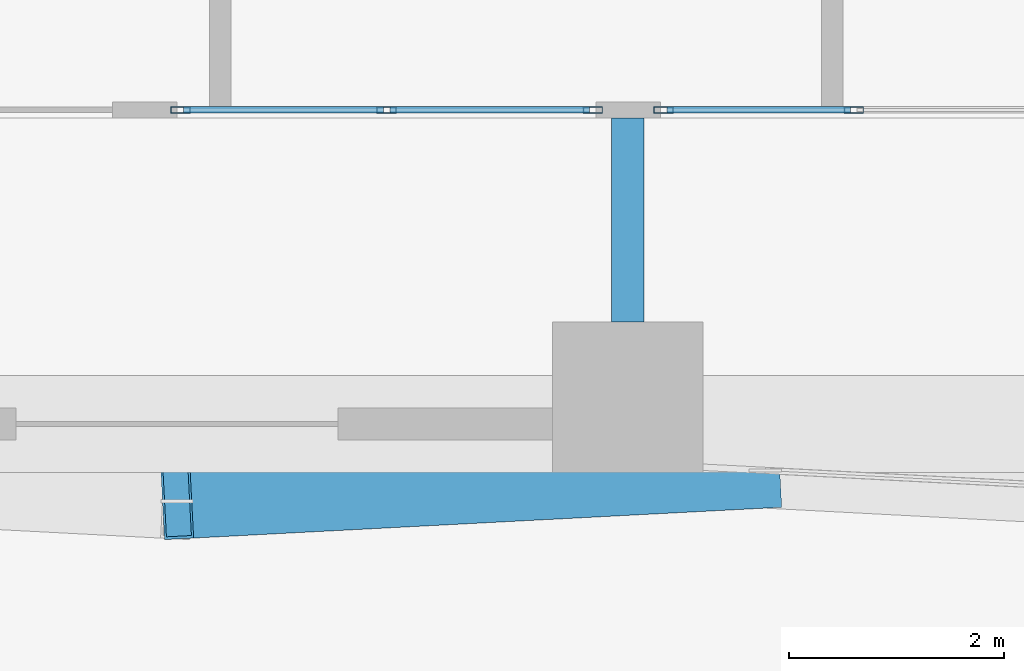
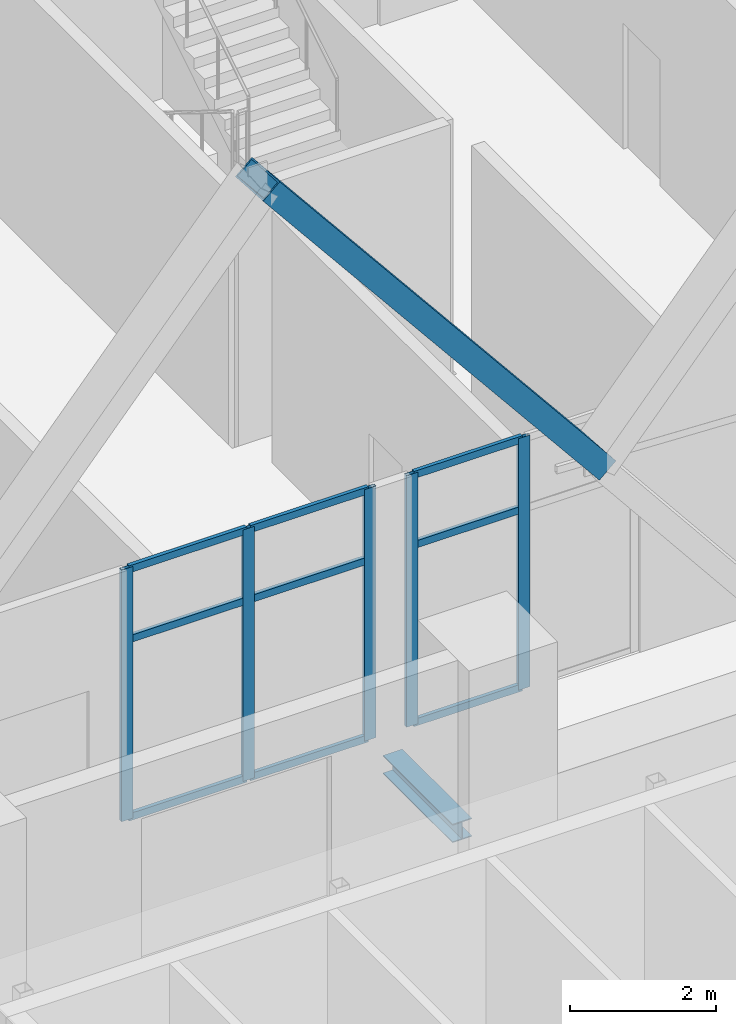
# One storey, part 11 of 71: 15 members, 1 beam, 2 elements without a shape of their own.
"""IFC4 building model written with IfcOpenShell, lengths in metres."""

import ifcopenshell
import ifcopenshell.guid

model = None  # the IFC model being written
_history = None  # IfcOwnerHistory: only IFC2X3 demands one
_inside = {}  # id of a spatial element -> (the spatial element, [elements in it])
_under = {}  # id of a project, library or spatial element -> (it, [spatial elements below it])
_declared = {}  # id of a project -> (the project, [libraries it declares])
_typed = {}  # id of a type object -> (the type object, [elements of that type])
_made_of = {}  # id of a material, layer set ... -> (it, [elements and type objects made of it])


def new_model(schema):
    """Start an empty IFC model of exactly this schema.

    Asked for "IFC4X3", IfcOpenShell would pick the latest addendum, in which some entities
    have other attributes; the version numbers below select the first issue.
    IFC2X3 requires an IfcOwnerHistory on every rooted entity: one is made here for all.
    """
    global model, _history
    if schema == "IFC4X3":
        model = ifcopenshell.file(schema_version=(4, 3, 0, 0))
    else:
        model = ifcopenshell.file(schema=schema)
    _inside.clear()
    _under.clear()
    _declared.clear()
    _typed.clear()
    _made_of.clear()
    _history = None
    if model.schema == "IFC2X3":
        org = make("IfcOrganization", Name="unknown")
        user = make(
            "IfcPersonAndOrganization",
            ThePerson=make("IfcPerson", FamilyName="unknown"),
            TheOrganization=org,
        )
        app = make(
            "IfcApplication",
            ApplicationDeveloper=org,
            Version="unknown",
            ApplicationFullName="unknown",
            ApplicationIdentifier="unknown",
        )
        _history = make(
            "IfcOwnerHistory",
            OwningUser=user,
            OwningApplication=app,
            ChangeAction="ADDED",
            CreationDate=0,
        )
    return model


def make(cls, **values):
    """One entity of the class cls with the attributes given. An attribute that is None is left unset."""
    return model.create_entity(
        cls, **{name: value for name, value in values.items() if value is not None}
    )


def rooted(cls, **values):
    """An entity with a GlobalId (a new one), such as an element, a storey or a relation."""
    return make(cls, GlobalId=ifcopenshell.guid.new(), OwnerHistory=_history, **values)


def si_unit(unit_type, name, prefix=None):
    """IfcSIUnit, for example si_unit("LENGTHUNIT", "METRE", prefix="MILLI")."""
    return make("IfcSIUnit", UnitType=unit_type, Prefix=prefix, Name=name)


def assignment(units):
    """IfcUnitAssignment: the units of a project."""
    return None if units is None else make("IfcUnitAssignment", Units=units)


def point(xyz):
    """IfcCartesianPoint."""
    return None if xyz is None else make("IfcCartesianPoint", Coordinates=xyz)


def direction(xyz):
    """IfcDirection."""
    return None if xyz is None else make("IfcDirection", DirectionRatios=xyz)


def frame(location, z_axis=None, x_axis=None):
    """IfcAxis2Placement3D, a coordinate frame: its origin and axes. An axis left out is left unset."""
    return make(
        "IfcAxis2Placement3D",
        Location=point(location),
        Axis=direction(z_axis),
        RefDirection=direction(x_axis),
    )


def frame_2d(location, x_axis=None):
    """IfcAxis2Placement2D, a coordinate frame in the plane: its origin and x axis."""
    return make(
        "IfcAxis2Placement2D", Location=point(location), RefDirection=direction(x_axis)
    )


def origin():
    """The frame at (0, 0, 0) with its axes left unset."""
    return frame((0.0, 0.0, 0.0))


def origin_2d():
    """The frame at (0, 0) in the plane with its x axis left unset."""
    return frame_2d((0.0, 0.0))


def place(relative_to, where):
    """IfcLocalPlacement: puts the frame where relative to a parent placement (None: the world)."""
    return make(
        "IfcLocalPlacement", PlacementRelTo=relative_to, RelativePlacement=where
    )


def context(
    kind, dimensions, precision=None, world=None, true_north=None, identifier=None
):
    """IfcGeometricRepresentationContext, for example the 3D "Model" context."""
    return make(
        "IfcGeometricRepresentationContext",
        ContextIdentifier=identifier,
        ContextType=kind,
        CoordinateSpaceDimension=dimensions,
        Precision=precision,
        WorldCoordinateSystem=world,
        TrueNorth=true_north,
    )


def subcontext(parent, identifier, kind, view, scale=None):
    """IfcGeometricRepresentationSubContext, for example "Body" below "Model"."""
    return make(
        "IfcGeometricRepresentationSubContext",
        ContextIdentifier=identifier,
        ContextType=kind,
        ParentContext=parent,
        TargetScale=scale,
        TargetView=view,
    )


def project(units=None, contexts=None):
    """IfcProject with its units and contexts."""
    return rooted(
        "IfcProject",
        Name="project",
        RepresentationContexts=contexts,
        UnitsInContext=assignment(units),
    )


def spatial(cls, under=None, at=None, **own):
    """A site, building, storey or space (cls), placed at a placement, below another one or the project."""
    s = rooted(cls, ObjectPlacement=at, **own)
    if under is not None:
        _under.setdefault(under.id(), (under, []))[1].append(s)
    return s


def profile(cls, at=None, kind="AREA", **sizes):
    """A parametric profile (cls). Its sizes go by their IFC names, for example OverallWidth=200.0."""
    return make(cls, ProfileType=kind, Position=at, **sizes)


def hollow_rectangle(**sizes):
    """IfcRectangleHollowProfileDef."""
    return profile("IfcRectangleHollowProfileDef", **sizes)


def i_section(**sizes):
    """IfcIShapeProfileDef."""
    return profile("IfcIShapeProfileDef", **sizes)


def extrude(swept, where, along, depth):
    """IfcExtrudedAreaSolid: the profile swept, set in the frame where, extruded along a direction by depth."""
    return make(
        "IfcExtrudedAreaSolid",
        SweptArea=swept,
        Position=where,
        ExtrudedDirection=direction(along),
        Depth=depth,
    )


def shape(context_of_items, identifier, shape_type, items):
    """IfcShapeRepresentation: the items that make up one representation, for example the "Body"."""
    return make(
        "IfcShapeRepresentation",
        ContextOfItems=context_of_items,
        RepresentationIdentifier=identifier,
        RepresentationType=shape_type,
        Items=items,
    )


def material(Name=None, Category=None):
    """IfcMaterial."""
    return make("IfcMaterial", Name=Name, Category=Category)


def material_profile(
    of_material, cross_section, Name=None, Category=None, Priority=None
):
    """IfcMaterialProfile: a cross section and its material."""
    return make(
        "IfcMaterialProfile",
        Name=Name,
        Material=of_material,
        Profile=cross_section,
        Priority=Priority,
        Category=Category,
    )


def profile_set(profiles, Name=None, composite=None):
    """IfcMaterialProfileSet."""
    return make(
        "IfcMaterialProfileSet",
        Name=Name,
        MaterialProfiles=profiles,
        CompositeProfile=composite,
    )


def made_of(thing, what):
    """Note that an element or type object is made of a material, layer set ...; save() writes the relation."""
    if what is not None:
        _made_of.setdefault(what.id(), (what, []))[1].append(thing)
    return thing


def type_object(cls, material=None, **own):
    """A type object (cls), such as IfcWallType, which elements share."""
    return made_of(rooted(cls, **own), material)


def element(
    cls,
    number,
    at=None,
    inside=None,
    cuts=None,
    type_object=None,
    material=None,
    context=None,
    identifier="Body",
    shape_type=None,
    held_by="IfcProductDefinitionShape",
    body=None,
    shapes=None,
    **own,
):
    """One element of the class cls, such as IfcWall. Its Tag is "e" and its number.

    at: its placement. inside: the storey or other place that contains it. cuts: it is an
    opening in that element (IfcRelVoidsElement). A single representation is given by context,
    identifier, shape_type and body (its items); several are given by shapes. held_by: the class
    of the entity that holds the representations. save() writes the other relations.
    """
    e = rooted(cls, Tag="e%d" % number, ObjectPlacement=at, **own)
    if body is not None:
        shapes = [shape(context, identifier, shape_type, body)]
    if shapes is not None:
        e.Representation = make(held_by, Representations=shapes)
    if inside is not None:
        _inside.setdefault(inside.id(), (inside, []))[1].append(e)
    if cuts is not None:
        rooted(
            "IfcRelVoidsElement", RelatingBuildingElement=cuts, RelatedOpeningElement=e
        )
    if type_object is not None:
        _typed.setdefault(type_object.id(), (type_object, []))[1].append(e)
    return made_of(e, material)


def aggregate(whole, parts):
    """IfcRelAggregates: a whole, such as a stair, and the parts it consists of."""
    return rooted("IfcRelAggregates", RelatingObject=whole, RelatedObjects=parts)


def save(model, path):
    """Write the relations noted so far, then the file.

    IfcRelAggregates (storeys below a building ...), IfcRelContainedInSpatialStructure (elements
    in a storey), IfcRelDefinesByType, IfcRelAssociatesMaterial and IfcRelDeclares: one each for
    every whole, place, type object, material and project.
    """
    for whole, parts in _under.values():
        aggregate(whole, parts)
    for where, things in _inside.values():
        rooted(
            "IfcRelContainedInSpatialStructure",
            RelatedElements=things,
            RelatingStructure=where,
        )
    for kind, things in _typed.values():
        rooted("IfcRelDefinesByType", RelatedObjects=things, RelatingType=kind)
    for what, things in _made_of.values():
        rooted("IfcRelAssociatesMaterial", RelatedObjects=things, RelatingMaterial=what)
    for by, libraries in _declared.values():
        rooted("IfcRelDeclares", RelatingContext=by, RelatedDefinitions=libraries)
    model.write(path)


model = new_model("IFC4")

# Units and contexts
model_context = context("Model", 3, precision=1e-05, world=origin(), true_north=direction((0.0, 1.0)))
body_context = subcontext(model_context, "Body", "Model", "MODEL_VIEW")
ifc_project = project(units=[si_unit("LENGTHUNIT", "METRE"), si_unit("AREAUNIT", "SQUARE_METRE"), si_unit("VOLUMEUNIT", "CUBIC_METRE"), si_unit("PLANEANGLEUNIT", "RADIAN"), si_unit("MASSUNIT", "GRAM", prefix="KILO")], contexts=[model_context])

# Site, building, storey
site_placement = place(None, origin())
site = spatial("IfcSite", under=ifc_project, at=site_placement, CompositionType="ELEMENT")
building_placement = place(site_placement, origin())
building = spatial("IfcBuilding", under=site, at=building_placement, Name="Ostrander Bayou Hotel Tower", CompositionType="ELEMENT")
storey_placement = place(building_placement, frame((0.0, 0.0, 10.0)))
storey = spatial("IfcBuildingStorey", under=building, at=storey_placement, Name="L02", CompositionType="ELEMENT", Elevation=10.0)

# Curtain wall, members
ifc_material_1 = material(Name="Aluminium and clear glass", Category="aluminium")
curtain_wall_type = type_object("IfcCurtainWallType", Name="CW-SKY amenity glass wall", PredefinedType="NOTDEFINED", material=ifc_material_1)
curtain_wall_1_placement = place(storey_placement, origin())
curtain_wall_1 = element("IfcCurtainWall", 1, at=curtain_wall_1_placement, inside=storey, type_object=curtain_wall_type, Name="CW-SKY L02 S 3", PredefinedType="NOTDEFINED")
ifc_material_2 = material(Name="Aluminium", Category="aluminium")
ifc_material_profile_1 = material_profile(ifc_material_2, hollow_rectangle(XDim=0.06005859375, YDim=0.179931640625, WallThickness=0.00390625, at=origin_2d()))
ifc_profile_set_1 = profile_set([ifc_material_profile_1], Name="Aluminium")
member_type_1 = type_object("IfcMemberType", Name="CW-SK mullion 60 x 180 mm", PredefinedType="MULLION", material=ifc_profile_set_1)
member_1_placement = place(storey_placement, frame((0.030029296875, -18.425048828125, 0.0), z_axis=(0.0, 0.0, 1.0), x_axis=(0.0, 1.0, 0.0)))
member_1 = element("IfcMember", 2, at=member_1_placement, type_object=member_type_1, Name="CW-SKY mullion 1", PredefinedType="MULLION", context=body_context, shape_type="SweptSolid", body=[
    extrude(hollow_rectangle(XDim=0.06005859375, YDim=0.179931640625, WallThickness=0.00390625, at=origin_2d()), origin(), (0.0, 0.0, 1.0), 4.199951171875),
])
member_2_placement = place(storey_placement, frame((1.949951171875, -18.425048828125, 0.0), z_axis=(0.0, 0.0, 1.0), x_axis=(0.0, 1.0, 0.0)))
member_2 = element("IfcMember", 3, at=member_2_placement, type_object=member_type_1, Name="CW-SKY mullion 2", PredefinedType="MULLION", context=body_context, shape_type="SweptSolid", body=[
    extrude(hollow_rectangle(XDim=0.06005859375, YDim=0.179931640625, WallThickness=0.00390625, at=origin_2d()), origin(), (0.0, 0.0, 1.0), 4.199951171875),
])
member_3_placement = place(storey_placement, frame((3.8701171875, -18.425048828125, 0.0), z_axis=(0.0, 0.0, 1.0), x_axis=(0.0, 1.0, 0.0)))
member_3 = element("IfcMember", 4, at=member_3_placement, type_object=member_type_1, Name="CW-SKY mullion 3", PredefinedType="MULLION", context=body_context, shape_type="SweptSolid", body=[
    extrude(hollow_rectangle(XDim=0.06005859375, YDim=0.179931640625, WallThickness=0.00390625, at=origin_2d()), origin(), (0.0, 0.0, 1.0), 4.199951171875),
])

curtain_wall_2_placement = place(storey_placement, origin())
curtain_wall_2 = element("IfcCurtainWall", 5, at=curtain_wall_2_placement, inside=storey, type_object=curtain_wall_type, Name="CW-SKY L02 S 4", PredefinedType="NOTDEFINED")
member_4_placement = place(storey_placement, frame((4.530029296875, -18.425048828125, 0.0), z_axis=(0.0, 0.0, 1.0), x_axis=(0.0, 1.0, 0.0)))
member_4 = element("IfcMember", 6, at=member_4_placement, type_object=member_type_1, Name="CW-SKY mullion 1", PredefinedType="MULLION", context=body_context, shape_type="SweptSolid", body=[
    extrude(hollow_rectangle(XDim=0.06005859375, YDim=0.179931640625, WallThickness=0.00390625, at=origin_2d()), origin(), (0.0, 0.0, 1.0), 4.199951171875),
])
member_5_placement = place(storey_placement, frame((6.300048828125, -18.425048828125, 0.0), z_axis=(0.0, 0.0, 1.0), x_axis=(0.0, 1.0, 0.0)))
member_5 = element("IfcMember", 7, at=member_5_placement, type_object=member_type_1, Name="CW-SKY mullion 2", PredefinedType="MULLION", context=body_context, shape_type="SweptSolid", body=[
    extrude(hollow_rectangle(XDim=0.06005859375, YDim=0.179931640625, WallThickness=0.00390625, at=origin_2d()), origin(), (0.0, 0.0, 1.0), 4.199951171875),
])

# Member
ifc_material_3 = material(Name="Aluminium", Category="aluminium")
ifc_material_profile_2 = material_profile(ifc_material_3, hollow_rectangle(XDim=0.06005859375, YDim=0.1201171875, WallThickness=0.00390625, at=origin_2d()))
ifc_profile_set_2 = profile_set([ifc_material_profile_2], Name="Aluminium")
member_type_2 = type_object("IfcMemberType", Name="CW-SK transom 60 x 120 mm", PredefinedType="USERDEFINED", material=ifc_profile_set_2)
member_6_placement = place(storey_placement, frame((0.06005859375, -18.425048828125, 0.030029296875), z_axis=(1.0, 0.0, 0.0), x_axis=(0.0, 1.0, 0.0)))
member_6 = element("IfcMember", 8, at=member_6_placement, type_object=member_type_2, Name="CW-SKY transom 1.1", ObjectType="TRANSOM", PredefinedType="USERDEFINED", context=body_context, shape_type="SweptSolid", body=[
    extrude(hollow_rectangle(XDim=0.06005859375, YDim=0.1201171875, WallThickness=0.00390625, at=origin_2d()), origin(), (0.0, 0.0, 1.0), 1.85986328125),
])

member_7_placement = place(storey_placement, frame((0.06005859375, -18.425048828125, 3.0), z_axis=(1.0, 0.0, 0.0), x_axis=(0.0, 1.0, 0.0)))
member_7 = element("IfcMember", 9, at=member_7_placement, type_object=member_type_2, Name="CW-SKY transom 1.2", ObjectType="TRANSOM", PredefinedType="USERDEFINED", context=body_context, shape_type="SweptSolid", body=[
    extrude(hollow_rectangle(XDim=0.06005859375, YDim=0.1201171875, WallThickness=0.00390625, at=origin_2d()), origin(), (0.0, 0.0, 1.0), 1.85986328125),
])

member_8_placement = place(storey_placement, frame((0.06005859375, -18.425048828125, 4.169921875), z_axis=(1.0, 0.0, 0.0), x_axis=(0.0, 1.0, 0.0)))
member_8 = element("IfcMember", 10, at=member_8_placement, type_object=member_type_2, Name="CW-SKY transom 1.3", ObjectType="TRANSOM", PredefinedType="USERDEFINED", context=body_context, shape_type="SweptSolid", body=[
    extrude(hollow_rectangle(XDim=0.06005859375, YDim=0.1201171875, WallThickness=0.00390625, at=origin_2d()), origin(), (0.0, 0.0, 1.0), 1.85986328125),
])

member_9_placement = place(storey_placement, frame((1.97998046875, -18.425048828125, 0.030029296875), z_axis=(1.0, 0.0, 0.0), x_axis=(0.0, 1.0, 0.0)))
member_9 = element("IfcMember", 11, at=member_9_placement, type_object=member_type_2, Name="CW-SKY transom 2.1", ObjectType="TRANSOM", PredefinedType="USERDEFINED", context=body_context, shape_type="SweptSolid", body=[
    extrude(hollow_rectangle(XDim=0.06005859375, YDim=0.1201171875, WallThickness=0.00390625, at=origin_2d()), origin(), (0.0, 0.0, 1.0), 1.860107421875),
])

member_10_placement = place(storey_placement, frame((1.97998046875, -18.425048828125, 3.0), z_axis=(1.0, 0.0, 0.0), x_axis=(0.0, 1.0, 0.0)))
member_10 = element("IfcMember", 12, at=member_10_placement, type_object=member_type_2, Name="CW-SKY transom 2.2", ObjectType="TRANSOM", PredefinedType="USERDEFINED", context=body_context, shape_type="SweptSolid", body=[
    extrude(hollow_rectangle(XDim=0.06005859375, YDim=0.1201171875, WallThickness=0.00390625, at=origin_2d()), origin(), (0.0, 0.0, 1.0), 1.860107421875),
])

member_11_placement = place(storey_placement, frame((1.97998046875, -18.425048828125, 4.169921875), z_axis=(1.0, 0.0, 0.0), x_axis=(0.0, 1.0, 0.0)))
member_11 = element("IfcMember", 13, at=member_11_placement, type_object=member_type_2, Name="CW-SKY transom 2.3", ObjectType="TRANSOM", PredefinedType="USERDEFINED", context=body_context, shape_type="SweptSolid", body=[
    extrude(hollow_rectangle(XDim=0.06005859375, YDim=0.1201171875, WallThickness=0.00390625, at=origin_2d()), origin(), (0.0, 0.0, 1.0), 1.860107421875),
])

aggregate(curtain_wall_1, [member_1, member_2, member_3, member_6, member_7, member_8, member_9, member_10, member_11])

member_12_placement = place(storey_placement, frame((4.56005859375, -18.425048828125, 0.030029296875), z_axis=(1.0, 0.0, 0.0), x_axis=(0.0, 1.0, 0.0)))
member_12 = element("IfcMember", 14, at=member_12_placement, type_object=member_type_2, Name="CW-SKY transom 1.1", ObjectType="TRANSOM", PredefinedType="USERDEFINED", context=body_context, shape_type="SweptSolid", body=[
    extrude(hollow_rectangle(XDim=0.06005859375, YDim=0.1201171875, WallThickness=0.00390625, at=origin_2d()), origin(), (0.0, 0.0, 1.0), 1.7099609375),
])

member_13_placement = place(storey_placement, frame((4.56005859375, -18.425048828125, 3.0), z_axis=(1.0, 0.0, 0.0), x_axis=(0.0, 1.0, 0.0)))
member_13 = element("IfcMember", 15, at=member_13_placement, type_object=member_type_2, Name="CW-SKY transom 1.2", ObjectType="TRANSOM", PredefinedType="USERDEFINED", context=body_context, shape_type="SweptSolid", body=[
    extrude(hollow_rectangle(XDim=0.06005859375, YDim=0.1201171875, WallThickness=0.00390625, at=origin_2d()), origin(), (0.0, 0.0, 1.0), 1.7099609375),
])

member_14_placement = place(storey_placement, frame((4.56005859375, -18.425048828125, 4.169921875), z_axis=(1.0, 0.0, 0.0), x_axis=(0.0, 1.0, 0.0)))
member_14 = element("IfcMember", 16, at=member_14_placement, type_object=member_type_2, Name="CW-SKY transom 1.3", ObjectType="TRANSOM", PredefinedType="USERDEFINED", context=body_context, shape_type="SweptSolid", body=[
    extrude(hollow_rectangle(XDim=0.06005859375, YDim=0.1201171875, WallThickness=0.00390625, at=origin_2d()), origin(), (0.0, 0.0, 1.0), 1.7099609375),
])

aggregate(curtain_wall_2, [member_4, member_5, member_12, member_13, member_14])

# Beam
ifc_material_4 = material(Name="Steel ASTM A992", Category="steel")
ifc_material_profile_3 = material_profile(ifc_material_4, i_section(OverallWidth=0.3046875, OverallDepth=0.307861328125, WebThickness=0.010009765625, FlangeThickness=0.015380859375, at=origin_2d()))
ifc_profile_set_3 = profile_set([ifc_material_profile_3], Name="Steel ASTM A992")
beam_type = type_object("IfcBeamType", Name="LB1 loggia bracket W12x65", PredefinedType="BEAM", material=ifc_profile_set_3)
beam_placement = place(storey_placement, frame((4.1953125, -20.39990234375, -0.453857421875), z_axis=(0.0, 1.0, 0.0), x_axis=(-1.0, 0.0, 0.0)))
element("IfcBeam", 17, at=beam_placement, inside=storey, type_object=beam_type, Name="LB1 L02 S2", PredefinedType="BEAM", context=body_context, shape_type="SweptSolid", body=[
    extrude(i_section(OverallWidth=0.3046875, OverallDepth=0.307861328125, WebThickness=0.010009765625, FlangeThickness=0.015380859375, at=origin_2d()), origin(), (0.0, 0.0, 1.0), 1.89990234375),
])

# Member
ifc_material_5 = material(Name="Steel ASTM A572 Gr 50", Category="steel")
ifc_material_profile_4 = material_profile(ifc_material_5, hollow_rectangle(XDim=0.699951171875, YDim=0.35009765625, WallThickness=0.02490234375, at=origin_2d()))
ifc_profile_set_4 = profile_set([ifc_material_profile_4], Name="Steel ASTM A572 Gr 50")
member_type_3 = type_object("IfcMemberType", Name="LT1 lattice member box 700 x 350 x 25 mm", PredefinedType="BRACE", material=ifc_profile_set_4)
member_15_placement = place(storey_placement, frame((5.475341796875, -21.783203125, 6.14990234375), z_axis=(-0.629623537067, -0.032987365945, 0.77619973928), x_axis=(0.052320446705, -0.998630347454, 0.0)))
element("IfcMember", 18, at=member_15_placement, inside=storey, type_object=member_type_3, Name="LT1 L02 S 4", PredefinedType="BRACE", context=body_context, shape_type="SweptSolid", body=[
    extrude(hollow_rectangle(XDim=0.699951171875, YDim=0.35009765625, WallThickness=0.02490234375, at=origin_2d()), origin(), (0.0, 0.0, 1.0), 8.6962890625),
])

save(model, "model.ifc")
